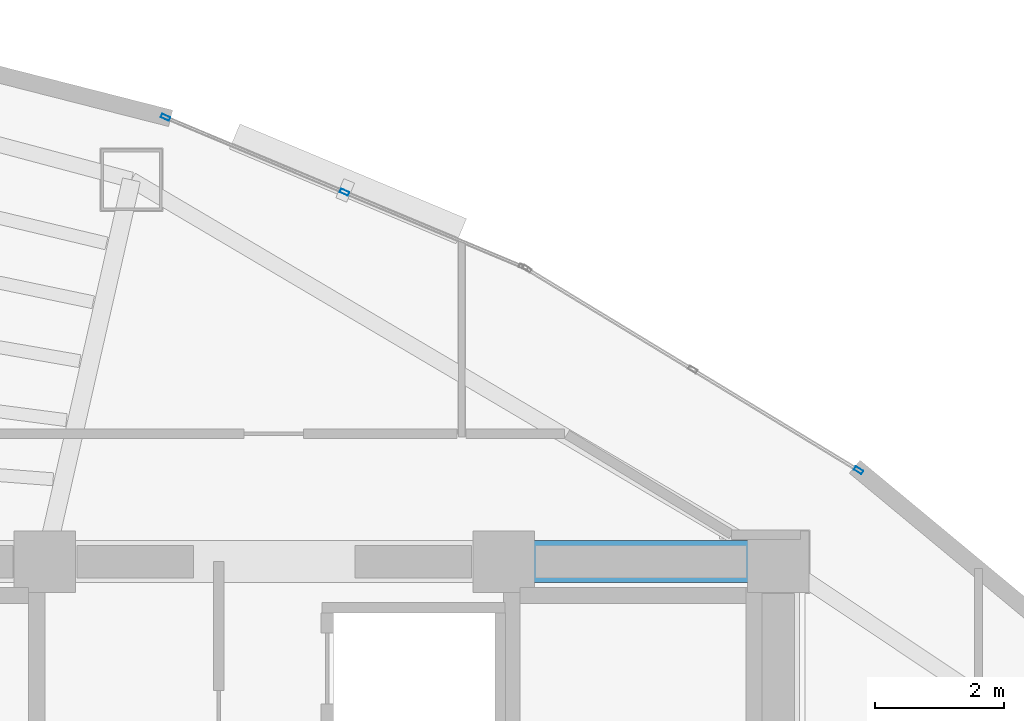
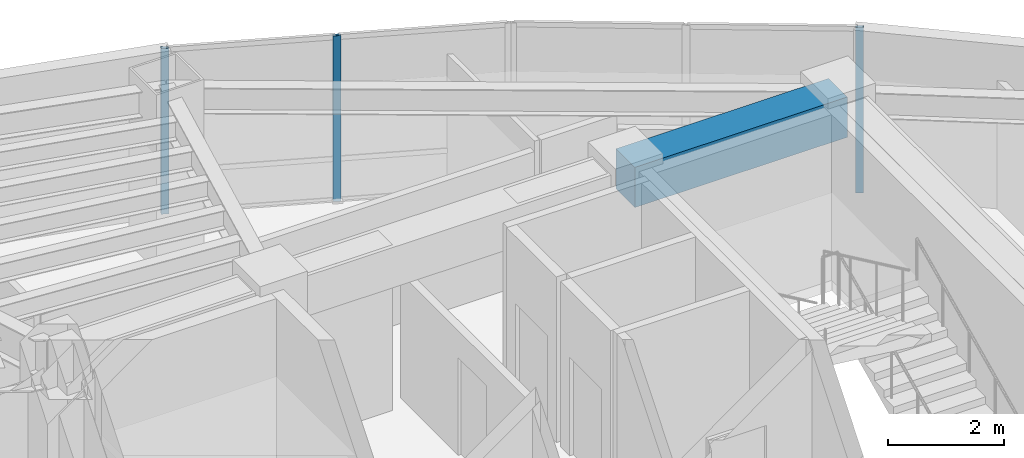
# One storey, part 9 of 15: 3 members, 1 beam, 2 elements without a shape of their own.
"""IFC4 building model written with IfcOpenShell, lengths in metres."""

from ifc_helpers import new_model, si_unit, direction, frame, origin, origin_2d, place, context, subcontext, project, spatial, rectangle, hollow_rectangle, extrude, material, layer, layer_set, material_profile, profile_set, type_object, element, aggregate, save


model = new_model("IFC4")

# Units and contexts
model_context = context("Model", 3, precision=1e-05, world=origin(), true_north=direction((0.0, 1.0)))
body_context = subcontext(model_context, "Body", "Model", "MODEL_VIEW")
ifc_project = project(units=[si_unit("LENGTHUNIT", "METRE"), si_unit("AREAUNIT", "SQUARE_METRE"), si_unit("VOLUMEUNIT", "CUBIC_METRE"), si_unit("PLANEANGLEUNIT", "RADIAN"), si_unit("MASSUNIT", "GRAM", prefix="KILO")], contexts=[model_context])

# Site, building, storey
site_placement = place(None, origin())
site = spatial("IfcSite", under=ifc_project, at=site_placement, CompositionType="ELEMENT")
building_placement = place(site_placement, origin())
building = spatial("IfcBuilding", under=site, at=building_placement, Name="Menara Vayukalpa", CompositionType="ELEMENT")
storey_placement = place(building_placement, frame((0.0, 0.0, 187.800048828125)))
storey = spatial("IfcBuildingStorey", under=building, at=storey_placement, Name="L47", CompositionType="ELEMENT", Elevation=187.800048828125)

# Beam
ifc_material_1 = material(Name="Concrete C60/75", Category="concrete")
ifc_material_profile_1 = material_profile(ifc_material_1, rectangle(XDim=0.64990234375, YDim=0.85009765625, at=origin_2d()), Name="RC 650x850")
ifc_profile_set_1 = profile_set([ifc_material_profile_1], Name="Concrete C60/75")
beam_type = type_object("IfcBeamType", Name="BM-CB1", PredefinedType="BEAM", material=ifc_profile_set_1)
beam_placement = place(storey_placement, frame((29.14990234375, 26.800048828125, 3.074951171875), z_axis=(1.0, 0.0, 0.0), x_axis=(0.0, 1.0, 0.0)))
element("IfcBeam", 1, at=beam_placement, inside=storey, type_object=beam_type, Name="L47 Core Tie Beam CBR6", PredefinedType="BEAM", context=body_context, shape_type="SweptSolid", body=[
    extrude(rectangle(XDim=0.64990234375, YDim=0.85009765625, at=origin_2d()), origin(), (0.0, 0.0, 1.0), 4.25),
])

# Curtain wall, member
ifc_material_2 = material(Name="Anodised Terracotta Aluminium Alloy 6063-T6", Category="masonry")
ifc_layer = layer(ifc_material_2, 0.139892578125)
ifc_layer_set = layer_set([ifc_layer], Name="Anodised Terracotta Aluminium Alloy 6063-T6")
curtain_wall_type = type_object("IfcCurtainWallType", Name="CW-CW5", PredefinedType="USERDEFINED", material=ifc_layer_set)
curtain_wall_1_placement = place(storey_placement, origin())
curtain_wall_1 = element("IfcCurtainWall", 2, at=curtain_wall_1_placement, inside=storey, type_object=curtain_wall_type, Name="L47 High Rise Tapered Curtain Wall CW5 04", ObjectType="UNITISED", PredefinedType="USERDEFINED")
ifc_material_3 = material(Name="Anodised Terracotta Aluminium Alloy 6063-T6", Category="masonry")
ifc_material_profile_2 = material_profile(ifc_material_3, hollow_rectangle(XDim=0.06005859375, YDim=0.139892578125, WallThickness=0.00341796875, at=origin_2d()), Name="ALU 60x140x3.5")
ifc_profile_set_2 = profile_set([ifc_material_profile_2], Name="Anodised Terracotta Aluminium Alloy 6063-T6")
member_type = type_object("IfcMemberType", Name="CWM-CW5", PredefinedType="MULLION", material=ifc_profile_set_2)
member_1_placement = place(storey_placement, frame((34.6416015625, 28.21484375, 0.0), z_axis=(0.0, 0.0, 1.0), x_axis=(-0.519179911779, -0.854664974832, 0.0)))
member_1 = element("IfcMember", 3, at=member_1_placement, type_object=member_type, Name="CW5 mullion 1", PredefinedType="MULLION", context=body_context, shape_type="SweptSolid", body=[
    extrude(hollow_rectangle(XDim=0.06005859375, YDim=0.139892578125, WallThickness=0.00341796875, at=origin_2d()), origin(), (0.0, 0.0, 1.0), 3.5),
])
aggregate(curtain_wall_1, [member_1])

# Curtain wall, members
curtain_wall_2_placement = place(storey_placement, origin())
curtain_wall_2 = element("IfcCurtainWall", 4, at=curtain_wall_2_placement, inside=storey, type_object=curtain_wall_type, Name="L47 High Rise Tapered Curtain Wall CW5 05", ObjectType="UNITISED", PredefinedType="USERDEFINED")
member_2_placement = place(storey_placement, frame((26.686279296875, 32.518310546875, 0.0), z_axis=(0.0, 0.0, 1.0), x_axis=(-0.385902834406, -0.922539431351, 0.0)))
member_2 = element("IfcMember", 5, at=member_2_placement, type_object=member_type, Name="CW5 mullion 2", PredefinedType="MULLION", context=body_context, shape_type="SweptSolid", body=[
    extrude(hollow_rectangle(XDim=0.06005859375, YDim=0.139892578125, WallThickness=0.00341796875, at=origin_2d()), origin(), (0.0, 0.0, 1.0), 3.5),
])
member_3_placement = place(storey_placement, frame((23.916259765625, 33.677001953125, 0.0), z_axis=(0.0, 0.0, 1.0), x_axis=(-0.385902834406, -0.922539431351, 0.0)))
member_3 = element("IfcMember", 6, at=member_3_placement, type_object=member_type, Name="CW5 mullion 3", PredefinedType="MULLION", context=body_context, shape_type="SweptSolid", body=[
    extrude(hollow_rectangle(XDim=0.06005859375, YDim=0.139892578125, WallThickness=0.00341796875, at=origin_2d()), origin(), (0.0, 0.0, 1.0), 3.5),
])
aggregate(curtain_wall_2, [member_2, member_3])

save(model, "model.ifc")
